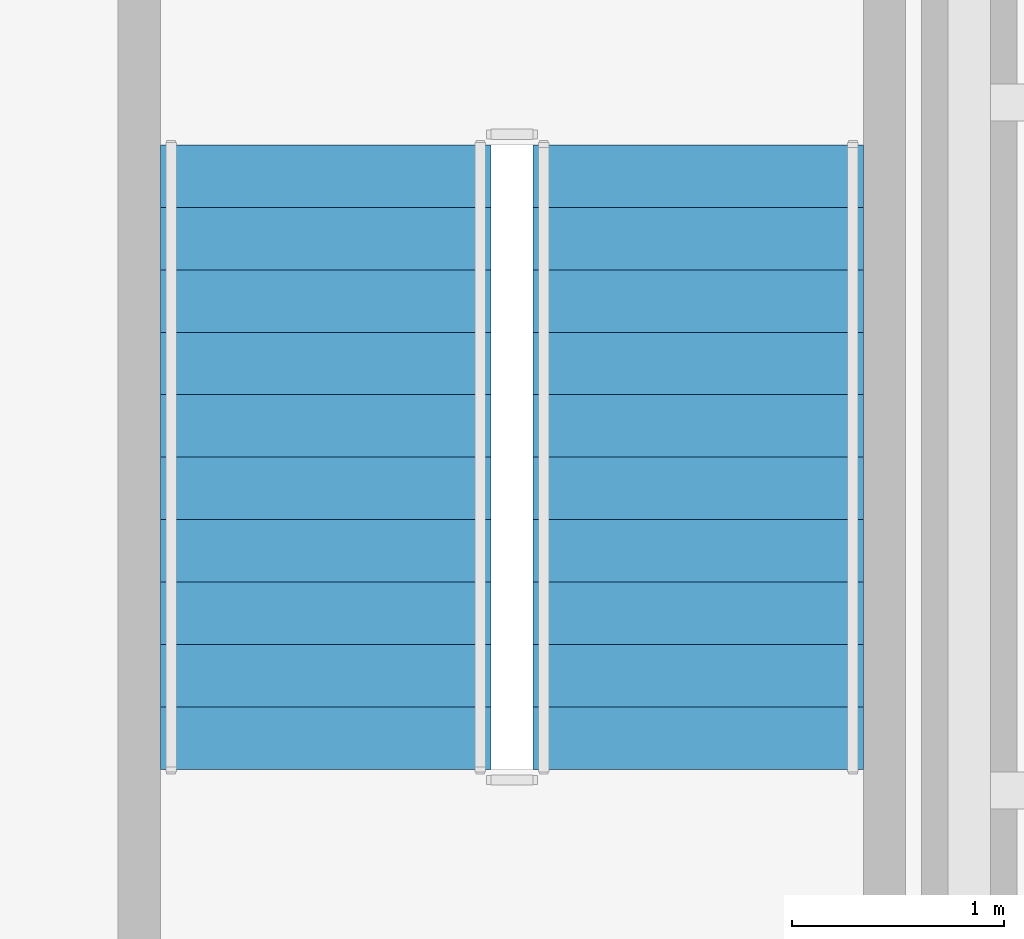
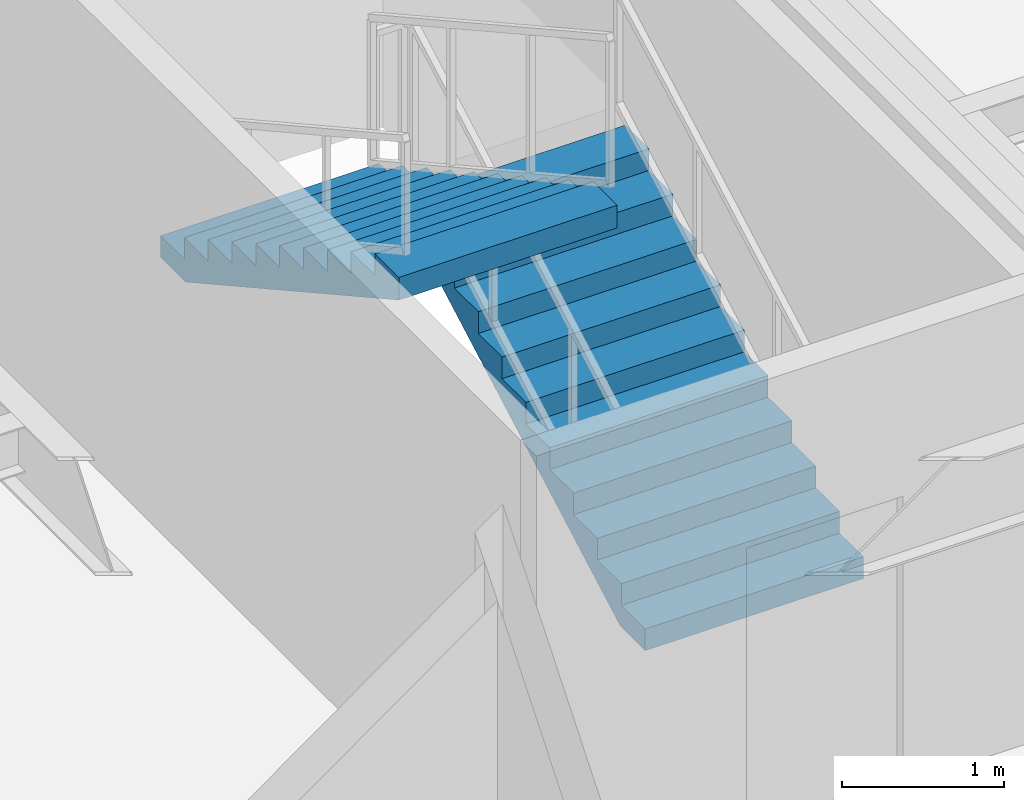
# One storey, part 24 of 26: 2 stair flights, 1 element without a shape of its own.
"""IFC4 building model written with IfcOpenShell, lengths in metres."""

from ifc_helpers import new_model, si_unit, direction, frame, origin, place, context, subcontext, project, spatial, polyline, outline, extrude, material, type_object, element, aggregate, save


model = new_model("IFC4")

# Units and contexts
model_context = context("Model", 3, precision=1e-05, world=origin(), true_north=direction((0.0, 1.0)))
body_context = subcontext(model_context, "Body", "Model", "MODEL_VIEW")
ifc_project = project(units=[si_unit("LENGTHUNIT", "METRE"), si_unit("AREAUNIT", "SQUARE_METRE"), si_unit("VOLUMEUNIT", "CUBIC_METRE"), si_unit("PLANEANGLEUNIT", "RADIAN"), si_unit("MASSUNIT", "GRAM", prefix="KILO")], contexts=[model_context])

# Site, building, storey
site_placement = place(None, origin())
site = spatial("IfcSite", under=ifc_project, at=site_placement, CompositionType="ELEMENT")
building_placement = place(site_placement, origin())
building = spatial("IfcBuilding", under=site, at=building_placement, Name="Brelmoor Portico Tower", CompositionType="ELEMENT")
storey_placement = place(building_placement, frame((0.0, 0.0, 247.199951171875)))
storey = spatial("IfcBuildingStorey", under=building, at=storey_placement, Name="L65", CompositionType="ELEMENT", Elevation=247.199951171875)

# Stair, stair flights
ifc_material = material(Name="Concrete C40", Category="concrete")
stair_type = type_object("IfcStairType", Name="ST-CORE-E", PredefinedType="HALF_TURN_STAIR", material=ifc_material)
stair_placement = place(storey_placement, origin())
stair = element("IfcStair", 1, at=stair_placement, inside=storey, type_object=stair_type, Name="L65 Protected Core Exit Stair ST-E", PredefinedType="HALF_TURN_STAIR")
stair_flight_type = type_object("IfcStairFlightType", Name="SF-CORE-1850", PredefinedType="STRAIGHT", material=ifc_material)
stair_flight_1_placement = place(storey_placement, frame((13.27001953125, 3.35009765625, 0.0), z_axis=(0.0, 0.0, 1.0), x_axis=(0.0, 1.0, 0.0)))
stair_flight_1 = element("IfcStairFlight", 2, at=stair_flight_1_placement, type_object=stair_flight_type, Name="ST-E flight 1", NumberOfRisers=11, NumberOfTreads=10, PredefinedType="STRAIGHT", RiserHeight=0.163636364, TreadLength=0.295, context=body_context, shape_type="SweptSolid", body=[
    extrude(outline(polyline([(0.0, 0.0), (0.0, 0.16357421875), (0.294921875, 0.16357421875), (0.294921875, 0.327392578125), (0.590087890625, 0.327392578125), (0.590087890625, 0.490966796875), (0.885009765625, 0.490966796875), (0.885009765625, 0.654541015625), (1.179931640625, 0.654541015625), (1.179931640625, 0.818115234375), (1.47509765625, 0.818115234375), (1.47509765625, 0.98193359375), (1.77001953125, 0.98193359375), (1.77001953125, 1.1455078125), (2.06494140625, 1.1455078125), (2.06494140625, 1.30908203125), (2.360107421875, 1.30908203125), (2.360107421875, 1.47265625), (2.655029296875, 1.47265625), (2.655029296875, 1.636474609375), (2.949951171875, 1.636474609375), (2.949951171875, 1.800048828125), (2.949951171875, 1.46484375), (0.30908203125, 0.0), (0.0, 0.0)])), frame((0.0, 0.780029296875, 0.0), z_axis=(0.0, -1.0, 0.0), x_axis=(1.0, 0.0, 0.0)), (0.0, 0.0, 1.0), 1.56005859375),
])
stair_flight_2_placement = place(storey_placement, frame((11.510009765625, 6.300048828125, 1.800048828125), z_axis=(0.0, 0.0, 1.0), x_axis=(0.0, -1.0, 0.0)))
stair_flight_2 = element("IfcStairFlight", 3, at=stair_flight_2_placement, type_object=stair_flight_type, Name="ST-E flight 2", NumberOfRisers=11, NumberOfTreads=10, PredefinedType="STRAIGHT", RiserHeight=0.163636364, TreadLength=0.295, context=body_context, shape_type="SweptSolid", body=[
    extrude(outline(polyline([(0.0, 0.0), (0.0, 0.16357421875), (0.294921875, 0.16357421875), (0.294921875, 0.327392578125), (0.590087890625, 0.327392578125), (0.590087890625, 0.490966796875), (0.885009765625, 0.490966796875), (0.885009765625, 0.654541015625), (1.179931640625, 0.654541015625), (1.179931640625, 0.818115234375), (1.47509765625, 0.818115234375), (1.47509765625, 0.98193359375), (1.77001953125, 0.98193359375), (1.77001953125, 1.1455078125), (2.06494140625, 1.1455078125), (2.06494140625, 1.30908203125), (2.360107421875, 1.30908203125), (2.360107421875, 1.47265625), (2.655029296875, 1.47265625), (2.655029296875, 1.636474609375), (2.949951171875, 1.636474609375), (2.949951171875, 1.800048828125), (2.949951171875, 1.46484375), (0.30908203125, 0.0), (0.0, 0.0)])), frame((0.0, 0.780029296875, 0.0), z_axis=(0.0, -1.0, 0.0), x_axis=(1.0, 0.0, 0.0)), (0.0, 0.0, 1.0), 1.56005859375),
])
aggregate(stair, [stair_flight_1, stair_flight_2])

save(model, "model.ifc")
